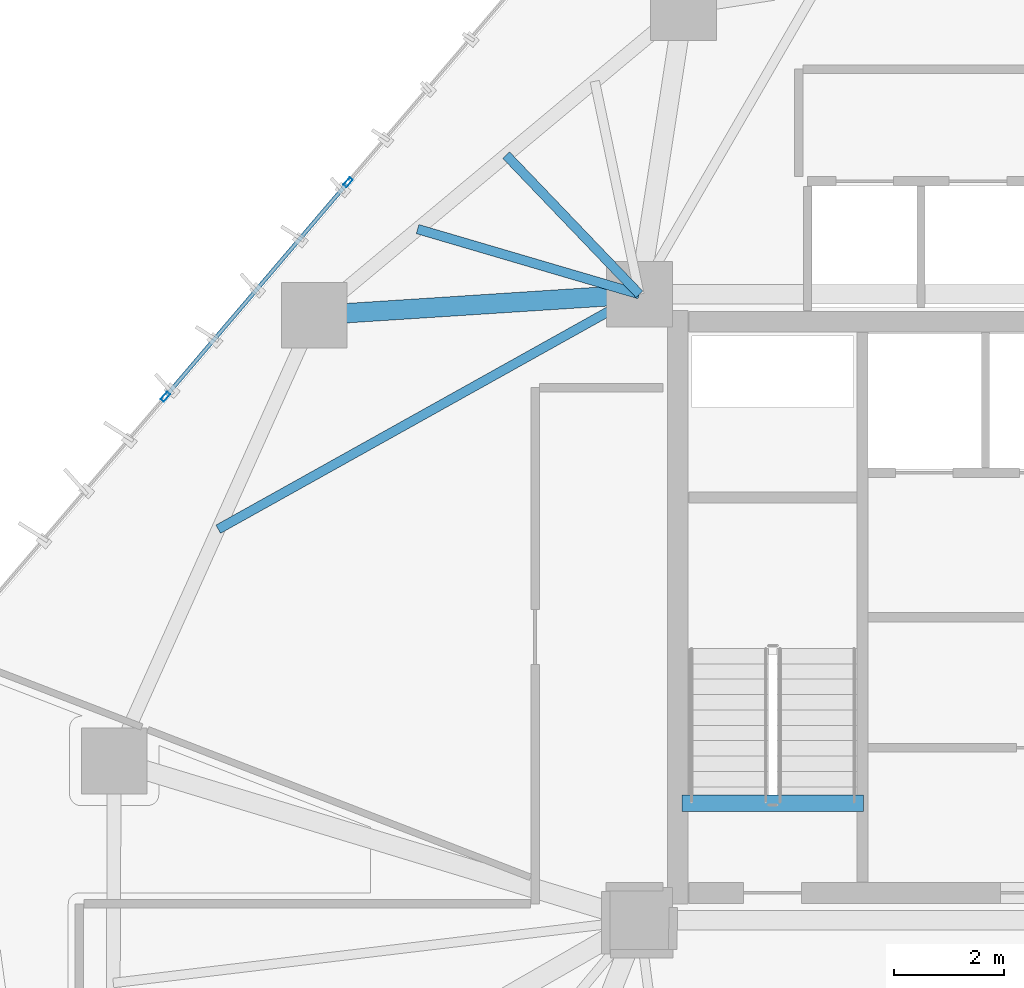
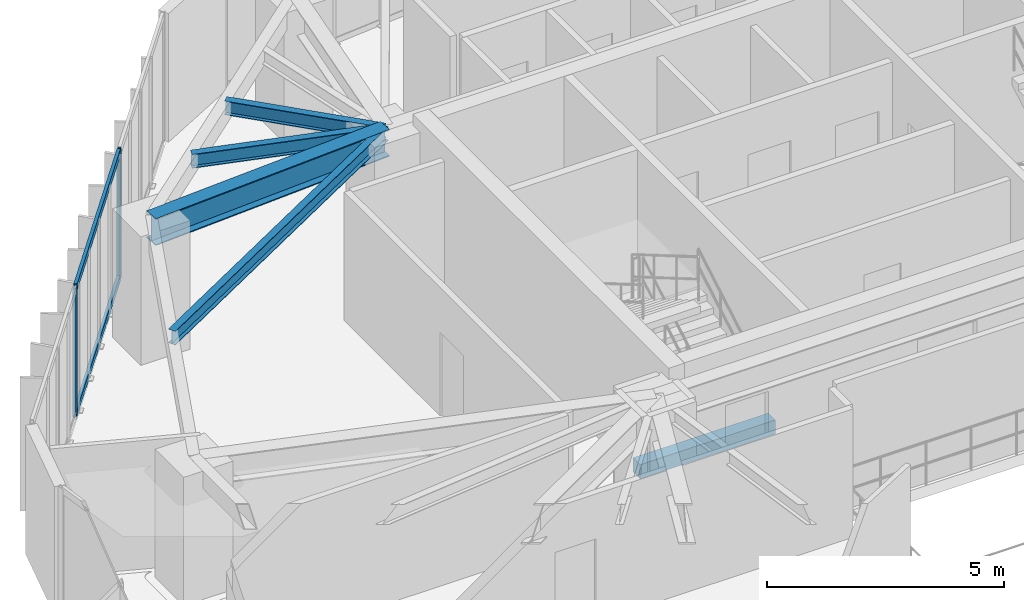
# One storey, part 10 of 22: 5 beams, 4 members, 1 element without a shape of its own.
"""IFC4 building model written with IfcOpenShell, lengths in metres."""

from ifc_helpers import new_model, si_unit, direction, frame, origin, origin_2d, place, context, subcontext, project, spatial, rectangle, hollow_rectangle, i_section, extrude, source, transform, mapped, material, layer, layer_set, material_profile, profile_set, type_object, type_shapes, element, aggregate, save


model = new_model("IFC4")

# Units and contexts
model_context = context("Model", 3, precision=1e-05, world=origin(), true_north=direction((0.0, 1.0)))
body_context = subcontext(model_context, "Body", "Model", "MODEL_VIEW")
ifc_project = project(units=[si_unit("LENGTHUNIT", "METRE"), si_unit("AREAUNIT", "SQUARE_METRE"), si_unit("VOLUMEUNIT", "CUBIC_METRE"), si_unit("PLANEANGLEUNIT", "RADIAN"), si_unit("MASSUNIT", "GRAM", prefix="KILO")], contexts=[model_context])

# Site, building, storey
site_placement = place(None, origin())
site = spatial("IfcSite", under=ifc_project, at=site_placement, CompositionType="ELEMENT")
building_placement = place(site_placement, origin())
building = spatial("IfcBuilding", under=site, at=building_placement, Name="Talar Marvaseh", CompositionType="ELEMENT")
storey_placement = place(building_placement, frame((0.0, 0.0, 107.39990234375)))
storey = spatial("IfcBuildingStorey", under=building, at=storey_placement, Name="L27", CompositionType="ELEMENT", Elevation=107.39990234375)

# Beams
ifc_material_1 = material(Name="Concrete C40/50", Category="concrete")
ifc_material_profile_1 = material_profile(ifc_material_1, rectangle(XDim=0.300048828125, YDim=0.360107421875, at=origin_2d()), Name="RC300x360")
ifc_profile_set_1 = profile_set([ifc_material_profile_1], Name="Concrete C40/50")
beam_type_1 = type_object("IfcBeamType", Name="Concrete Stair Landing Trimmer Beam RC300x360", PredefinedType="SPANDREL", material=ifc_profile_set_1)
beam_1_placement = place(storey_placement, frame((22.780029296875, 27.6298828125, -0.179931640625), z_axis=(-1.0, 0.0, 0.0), x_axis=(0.0, -1.0, 0.0)))
element("IfcBeam", 1, at=beam_1_placement, inside=storey, type_object=beam_type_1, Name="L27 ST-1 Stair Nosing Trimmer Beam", PredefinedType="SPANDREL", context=body_context, shape_type="SweptSolid", body=[
    extrude(rectangle(XDim=0.300048828125, YDim=0.360107421875, at=origin_2d()), origin(), (0.0, 0.0, 1.0), 3.300048828125),
])
ifc_material_2 = material(Name="Steel S355", Category="steel")
ifc_material_profile_2 = material_profile(ifc_material_2, i_section(OverallWidth=0.35498046875, OverallDepth=0.695068359375, WebThickness=0.015380859375, FlangeThickness=0.02490234375, at=origin_2d()), Name="W690x217")
ifc_profile_set_2 = profile_set([ifc_material_profile_2], Name="Steel S355")
beam_type_2 = type_object("IfcBeamType", Name="Zone 2 Radial Floor Girder W690x217", PredefinedType="BEAM", material=ifc_profile_set_2)
beam_2_placement = place(storey_placement, frame((12.780029296875, 36.51708984375, 2.962646484375), z_axis=(0.997915745008, 0.064530348407, 0.0), x_axis=(-0.064530348407, 0.997915745008, 0.0)))
element("IfcBeam", 2, at=beam_2_placement, inside=storey, type_object=beam_type_2, Name="L27 Zone 2 Radial Floor Girder W690x217", PredefinedType="BEAM", context=body_context, shape_type="SweptSolid", body=[
    extrude(i_section(OverallWidth=0.35498046875, OverallDepth=0.695068359375, WebThickness=0.015380859375, FlangeThickness=0.02490234375, at=origin_2d()), origin(), (0.0, 0.0, 1.0), 5.932373046875),
])
ifc_material_profile_3 = material_profile(ifc_material_2, i_section(OverallWidth=0.172119140625, OverallDepth=0.35791015625, WebThickness=0.0078125, FlangeThickness=0.01318359375, at=origin_2d()), Name="W360x57")
ifc_profile_set_3 = profile_set([ifc_material_profile_3], Name="Steel S355")
beam_type_3 = type_object("IfcBeamType", Name="Zone 2 Secondary Floor Joist W360x57", PredefinedType="JOIST", material=ifc_profile_set_3)
beam_3_placement = place(storey_placement, frame((11.03173828125, 32.621826171875, 3.131103515625), z_axis=(0.873287668061, 0.487204935128, 0.0), x_axis=(-0.487204935128, 0.873287668061, 0.0)))
element("IfcBeam", 3, at=beam_3_placement, inside=storey, type_object=beam_type_3, Name="L27 Zone 2 Secondary Floor Joist W360x57", PredefinedType="JOIST", context=body_context, shape_type="SweptSolid", body=[
    extrude(i_section(OverallWidth=0.172119140625, OverallDepth=0.35791015625, WebThickness=0.0078125, FlangeThickness=0.01318359375, at=origin_2d()), origin(), (0.0, 0.0, 1.0), 8.78076171875),
])
beam_4_placement = place(storey_placement, frame((14.661865234375, 38.086669921875, 3.131103515625), z_axis=(0.959423672171, -0.281968468587, 0.0), x_axis=(0.281968468587, 0.959423672171, 0.0)))
element("IfcBeam", 4, at=beam_4_placement, inside=storey, type_object=beam_type_3, Name="L27 Zone 2 Secondary Floor Joist W360x57", PredefinedType="JOIST", context=body_context, shape_type="SweptSolid", body=[
    extrude(i_section(OverallWidth=0.172119140625, OverallDepth=0.35791015625, WebThickness=0.0078125, FlangeThickness=0.01318359375, at=origin_2d()), origin(), (0.0, 0.0, 1.0), 4.208984375),
])
beam_5_placement = place(storey_placement, frame((16.27490234375, 39.43212890625, 3.131103515625), z_axis=(0.691657292908, -0.722225857449, 0.0), x_axis=(0.722225857449, 0.691657292908, 0.0)))
element("IfcBeam", 5, at=beam_5_placement, inside=storey, type_object=beam_type_3, Name="L27 Zone 2 Secondary Floor Joist W360x57", PredefinedType="JOIST", context=body_context, shape_type="SweptSolid", body=[
    extrude(i_section(OverallWidth=0.172119140625, OverallDepth=0.35791015625, WebThickness=0.0078125, FlangeThickness=0.01318359375, at=origin_2d()), origin(), (0.0, 0.0, 1.0), 3.506103515625),
])

# Curtain wall, members
ifc_material_3 = material(Name="Architectural Aluminium", Category="aluminium")
ifc_layer = layer(ifc_material_3, 0.199951171875)
ifc_layer_set = layer_set([ifc_layer], Name="Architectural Aluminium")
curtain_wall_type = type_object("IfcCurtainWallType", Name="Unitised Acoustic Library Curtain Wall Z2", PredefinedType="NOTDEFINED", material=ifc_layer_set)
curtain_wall_placement = place(storey_placement, origin())
curtain_wall = element("IfcCurtainWall", 6, at=curtain_wall_placement, inside=storey, type_object=curtain_wall_type, Name="L27 Unitised Acoustic Library Curtain Wall Z2", PredefinedType="NOTDEFINED")
ifc_material_profile_4 = material_profile(ifc_material_3, hollow_rectangle(XDim=0.074951171875, YDim=0.179931640625, WallThickness=0.0048828125, at=origin_2d()), Name="RHS180x75x5")
ifc_profile_set_4 = profile_set([ifc_material_profile_4], Name="Architectural Aluminium")
member_type_1 = type_object("IfcMemberType", Name="Unitised Curtain Wall Standard Mullion RHS180x75x5", PredefinedType="MULLION", material=ifc_profile_set_4)
shared_shape_1 = source(origin(), body_context, "Body", "SweptSolid", [
    extrude(hollow_rectangle(XDim=0.074951171875, YDim=0.179931640625, WallThickness=0.0048828125, at=origin_2d()), origin(), (0.0, 0.0, 1.0), 3.31005859375),
])
type_shapes(member_type_1, [shared_shape_1])
member_1_placement = place(storey_placement, frame((10.068115234375, 35.03271484375, 0.0), z_axis=(0.0, 0.0, 1.0), x_axis=(-0.7611759874, 0.648545384847, 0.0)))
member_1 = element("IfcMember", 7, at=member_1_placement, type_object=member_type_1, Name="CW-Z2 mullion 2", PredefinedType="MULLION", context=body_context, shape_type="MappedRepresentation", body=[
    mapped(shared_shape_1, transform((0.0, 0.0, 0.0), x_axis=(1.0, 0.0, 0.0), y_axis=(0.0, 1.0, 0.0), z_axis=(0.0, 0.0, 1.0), scale=1.0)),
])
member_2_placement = place(storey_placement, frame((13.395263671875, 38.9375, 0.0), z_axis=(0.0, 0.0, 1.0), x_axis=(-0.7611759874, 0.648545384847, 0.0)))
member_2 = element("IfcMember", 8, at=member_2_placement, type_object=member_type_1, Name="CW-Z2 mullion 3", PredefinedType="MULLION", context=body_context, shape_type="MappedRepresentation", body=[
    mapped(shared_shape_1, transform((0.0, 0.0, 0.0), x_axis=(1.0, 0.0, 0.0), y_axis=(0.0, 1.0, 0.0), z_axis=(0.0, 0.0, 1.0), scale=1.0)),
])
ifc_material_profile_5 = material_profile(ifc_material_3, hollow_rectangle(XDim=0.074951171875, YDim=0.179931640625, WallThickness=0.0048828125, at=origin_2d()), Name="RHS180x75x5")
ifc_profile_set_5 = profile_set([ifc_material_profile_5], Name="Architectural Aluminium")
member_type_2 = type_object("IfcMemberType", Name="Unitised Curtain Wall Transom RHS180x75x5", PredefinedType="USERDEFINED", material=ifc_profile_set_5)
shared_shape_2 = source(origin(), body_context, "Body", "SweptSolid", [
    extrude(hollow_rectangle(XDim=0.074951171875, YDim=0.179931640625, WallThickness=0.0048828125, at=origin_2d()), origin(), (0.0, 0.0, 1.0), 5.054931640625),
])
type_shapes(member_type_2, [shared_shape_2])
member_3_placement = place(storey_placement, frame((10.092529296875, 35.061279296875, 0.03759765625), z_axis=(0.648545233883, 0.761176116026, 0.0), x_axis=(-0.761176116026, 0.648545233883, 0.0)))
member_3 = element("IfcMember", 9, at=member_3_placement, type_object=member_type_2, Name="CW-Z2 transom 2.1", ObjectType="TRANSOM", PredefinedType="USERDEFINED", context=body_context, shape_type="MappedRepresentation", body=[
    mapped(shared_shape_2, transform((0.0, 0.0, 0.0), x_axis=(1.0, 0.0, 0.0), y_axis=(0.0, 1.0, 0.0), z_axis=(0.0, 0.0, 1.0), scale=1.0)),
])
member_4_placement = place(storey_placement, frame((10.092529296875, 35.061279296875, 3.272705078125), z_axis=(0.648545233883, 0.761176116026, 0.0), x_axis=(-0.761176116026, 0.648545233883, 0.0)))
member_4 = element("IfcMember", 10, at=member_4_placement, type_object=member_type_2, Name="CW-Z2 transom 2.2", ObjectType="TRANSOM", PredefinedType="USERDEFINED", context=body_context, shape_type="MappedRepresentation", body=[
    mapped(shared_shape_2, transform((0.0, 0.0, 0.0), x_axis=(1.0, 0.0, 0.0), y_axis=(0.0, 1.0, 0.0), z_axis=(0.0, 0.0, 1.0), scale=1.0)),
])
aggregate(curtain_wall, [member_1, member_2, member_3, member_4])

save(model, "model.ifc")
